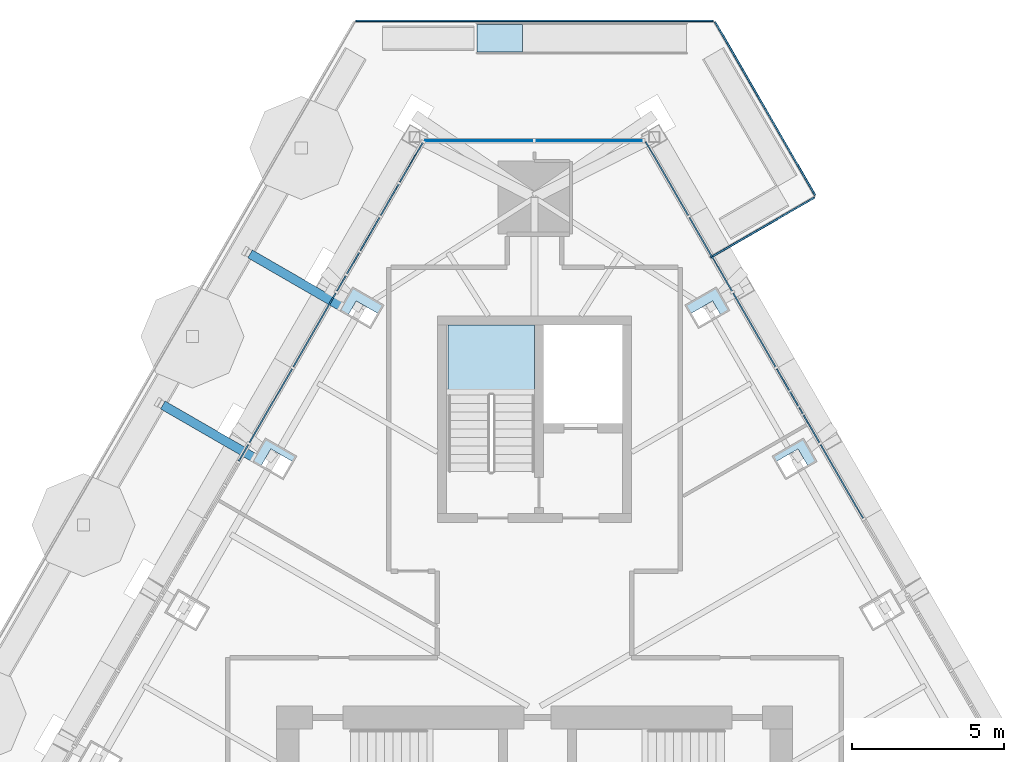
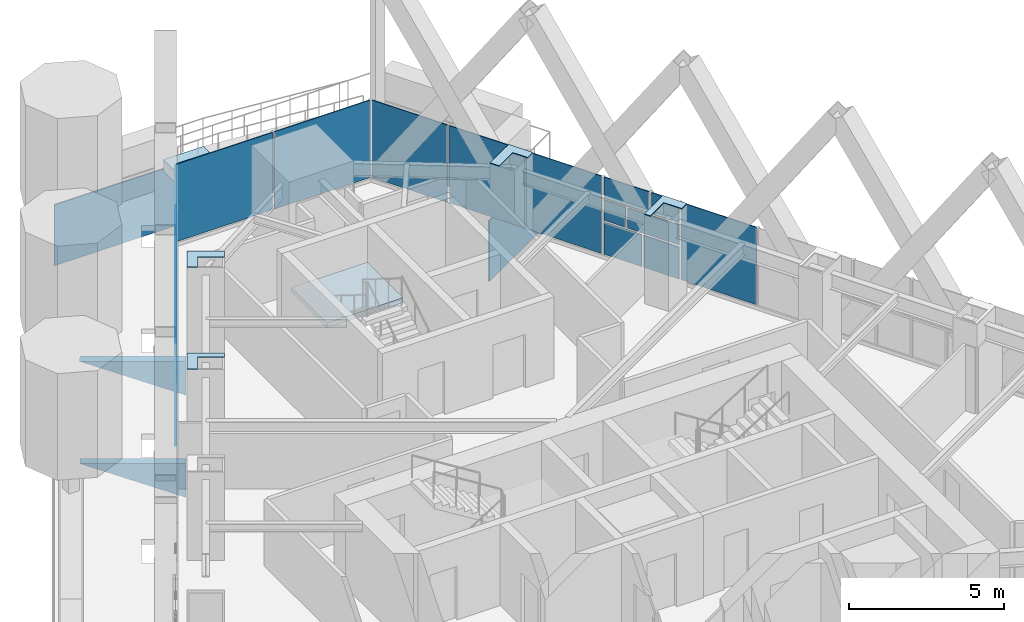
# One storey, part 15 of 24: 31 plates, 2 slabs, 4 elements without a shape of their own.
"""IFC4 building model written with IfcOpenShell, lengths in metres."""

from ifc_helpers import new_model, si_unit, direction, frame, origin, place, context, subcontext, project, spatial, polyline, outline, extrude, material, layer, layer_set, type_object, element, aggregate, save


model = new_model("IFC4")

# Units and contexts
model_context = context("Model", 3, precision=1e-05, world=origin(), true_north=direction((0.0, 1.0)))
body_context = subcontext(model_context, "Body", "Model", "MODEL_VIEW")
ifc_project = project(units=[si_unit("LENGTHUNIT", "METRE"), si_unit("AREAUNIT", "SQUARE_METRE"), si_unit("VOLUMEUNIT", "CUBIC_METRE"), si_unit("PLANEANGLEUNIT", "RADIAN"), si_unit("MASSUNIT", "GRAM", prefix="KILO")], contexts=[model_context])

# Site, building, storey
site_placement = place(None, origin())
site = spatial("IfcSite", under=ifc_project, at=site_placement, CompositionType="ELEMENT")
building_placement = place(site_placement, origin())
building = spatial("IfcBuilding", under=site, at=building_placement, Name="Firuza Gate Tower and Library", CompositionType="ELEMENT")
storey_placement = place(building_placement, frame((0.0, 0.0, 323.10009765625)))
storey = spatial("IfcBuildingStorey", under=building, at=storey_placement, Name="L79", CompositionType="ELEMENT", Elevation=323.10009765625)

# Plates
ifc_material_1 = material(Name="Steel S355", Category="steel")
ifc_layer_1 = layer(ifc_material_1, 0.030029296875)
ifc_layer_set_1 = layer_set([ifc_layer_1], Name="Column infill plate 30 Steel S355")
plate_type_1 = type_object("IfcPlateType", Name="Column infill plate 30 Steel S355", PredefinedType="SHEET", material=ifc_layer_set_1)
placement_1 = place(storey_placement, frame((0.0, 0.0, 3.5)))
element("IfcPlate", 1, at=placement_1, inside=storey, type_object=plate_type_1, Name="Infill plate L79:E5", PredefinedType="SHEET", context=body_context, shape_type="SweptSolid", body=[
    extrude(outline(polyline([(82.820068359375, 89.9833984375), (82.932861328125, 89.78759765625), (83.68017578125, 90.218994140625), (84.017333984375, 89.635498046875), (84.30908203125, 89.803955078125), (83.859130859375, 90.583251953125), (82.820068359375, 89.9833984375)])), origin(), (0.0, 0.0, 1.0), 0.02978515625),
])
element("IfcPlate", 2, at=placement_1, inside=storey, type_object=plate_type_1, Name="Infill plate L79:E6", PredefinedType="SHEET", context=body_context, shape_type="SweptSolid", body=[
    extrude(outline(polyline([(79.947998046875, 94.957763671875), (80.11962890625, 94.660400390625), (80.866943359375, 95.092041015625), (81.145263671875, 94.60986328125), (81.437255859375, 94.7783203125), (80.9873046875, 95.557861328125), (79.947998046875, 94.957763671875)])), origin(), (0.0, 0.0, 1.0), 0.02978515625),
])
element("IfcPlate", 3, at=placement_1, inside=storey, type_object=plate_type_1, Name="Infill plate L79:W1", PredefinedType="SHEET", context=body_context, shape_type="SweptSolid", body=[
    extrude(outline(polyline([(68.562744140625, 94.7783203125), (68.854736328125, 94.60986328125), (69.133056640625, 95.092041015625), (69.88037109375, 94.660400390625), (70.052001953125, 94.957763671875), (69.0126953125, 95.557861328125), (68.562744140625, 94.7783203125)])), origin(), (0.0, 0.0, 1.0), 0.02978515625),
])
element("IfcPlate", 4, at=placement_1, inside=storey, type_object=plate_type_1, Name="Infill plate L79:W2", PredefinedType="SHEET", context=body_context, shape_type="SweptSolid", body=[
    extrude(outline(polyline([(65.69091796875, 89.803955078125), (65.982666015625, 89.635498046875), (66.31982421875, 90.218994140625), (67.067138671875, 89.78759765625), (67.179931640625, 89.9833984375), (66.140869140625, 90.583251953125), (65.69091796875, 89.803955078125)])), origin(), (0.0, 0.0, 1.0), 0.02978515625),
])

# Curtain wall, plates
ifc_material_2 = material(Name="Aluminium 6063-T6", Category="aluminium")
ifc_layer_2 = layer(ifc_material_2, 0.14990234375)
ifc_layer_set_2 = layer_set([ifc_layer_2], Name="Corner curtain wall, chamfers")
curtain_wall_type_1 = type_object("IfcCurtainWallType", Name="Corner curtain wall, chamfers", PredefinedType="NOTDEFINED", material=ifc_layer_set_2)
placement_2 = place(storey_placement, origin())
curtain_wall_1 = element("IfcCurtainWall", 5, at=placement_2, inside=storey, type_object=curtain_wall_type_1, Name="CW4 L79 N corner", PredefinedType="NOTDEFINED")
ifc_material_3 = material(Name="Fritted glass", Category="glass")
ifc_layer_3 = layer(ifc_material_3, 0.030029296875)
ifc_layer_set_3 = layer_set([ifc_layer_3], Name="Fritted glass unit, corners")
plate_type_2 = type_object("IfcPlateType", Name="Fritted glass unit, corners", PredefinedType="CURTAIN_PANEL", material=ifc_layer_set_3)
plate_5_placement = place(storey_placement, frame((78.603271484375, 100.382568359375, 0.14990234375), z_axis=(0.0, 1.0, 0.0), x_axis=(-1.0, 0.0, 0.0)))
plate_5 = element("IfcPlate", 6, at=plate_5_placement, type_object=plate_type_2, Name="Glass unit", PredefinedType="CURTAIN_PANEL", context=body_context, shape_type="SweptSolid", body=[
    extrude(outline(polyline([(0.0, 0.0), (3.563232421875, 0.0), (3.563232421875, 3.050048828125), (0.0, 3.050048828125), (0.0, 0.0)])), origin(), (0.0, 0.0, -1.0), 0.030029296875),
])
plate_6_placement = place(storey_placement, frame((74.9599609375, 100.382568359375, 0.14990234375), z_axis=(0.0, 1.0, 0.0), x_axis=(-1.0, 0.0, 0.0)))
plate_6 = element("IfcPlate", 7, at=plate_6_placement, type_object=plate_type_2, Name="Glass unit", PredefinedType="CURTAIN_PANEL", context=body_context, shape_type="SweptSolid", body=[
    extrude(outline(polyline([(0.0, 0.0), (3.563232421875, 0.0), (3.563232421875, 3.050048828125), (0.0, 3.050048828125), (0.0, 0.0)])), origin(), (0.0, 0.0, -1.0), 0.030029296875),
])
aggregate(curtain_wall_1, [plate_5, plate_6])

ifc_material_4 = material(Name="Aluminium 6063-T6", Category="aluminium")
ifc_layer_4 = layer(ifc_material_4, 0.14990234375)
ifc_layer_set_4 = layer_set([ifc_layer_4], Name="Unitised curtain wall, residences")
curtain_wall_type_2 = type_object("IfcCurtainWallType", Name="Unitised curtain wall, residences", PredefinedType="NOTDEFINED", material=ifc_layer_set_4)
curtain_wall_2 = element("IfcCurtainWall", 8, at=placement_2, inside=storey, type_object=curtain_wall_type_2, Name="CW3 L79 E face", PredefinedType="NOTDEFINED")
ifc_material_5 = material(Name="Fritted glass", Category="glass")
ifc_layer_5 = layer(ifc_material_5, 0.030029296875)
ifc_layer_set_5 = layer_set([ifc_layer_5], Name="Fritted glass unit, residences")
plate_type_3 = type_object("IfcPlateType", Name="Fritted glass unit, residences", PredefinedType="CURTAIN_PANEL", material=ifc_layer_set_5)
plate_7_placement = place(storey_placement, frame((83.69189453125, 91.6533203125, 0.14990234375), z_axis=(0.866040030748, 0.499974664501, 0.0), x_axis=(-0.499974664501, 0.866040030748, 0.0)))
plate_7 = element("IfcPlate", 9, at=plate_7_placement, type_object=plate_type_3, Name="Glass unit", PredefinedType="CURTAIN_PANEL", context=body_context, shape_type="SweptSolid", body=[
    extrude(outline(polyline([(0.0, 0.0), (1.3965551398427547, 0.0), (1.3965551398427547, 1.260009765625), (0.0, 1.260009765625), (0.0, 0.0)])), origin(), (0.0, 0.0, -1.0), 0.030029296875),
])
plate_8_placement = place(storey_placement, frame((83.396240234375, 92.165283203125, 1.489990234375), z_axis=(0.86608968024, 0.499888653383, 0.0), x_axis=(-0.499888653383, 0.86608968024, 0.0)))
plate_8 = element("IfcPlate", 10, at=plate_8_placement, type_object=plate_type_3, Name="Glass unit", PredefinedType="CURTAIN_PANEL", context=body_context, shape_type="SweptSolid", body=[
    extrude(outline(polyline([(0.0, 0.0), (0.8053551283875515, 0.0), (0.8053551283875515, 0.7949218750000002), (0.0, 0.7949218750000002), (0.0, 0.0)])), origin(), (0.0, 0.0, -1.0), 0.030029296875),
])
plate_9_placement = place(storey_placement, frame((84.392578125, 90.439453125, 2.364990234375), z_axis=(0.865992557167, 0.500056887695, 0.0), x_axis=(-0.500056887695, 0.865992557167, 0.0)))
plate_9 = element("IfcPlate", 11, at=plate_9_placement, type_object=plate_type_3, Name="Glass unit", PredefinedType="CURTAIN_PANEL", context=body_context, shape_type="SweptSolid", body=[
    extrude(outline(polyline([(0.0, 0.0), (1.0321091338808435, 0.0), (1.0321091338808435, 0.8349609375), (0.0, 0.8349609375), (0.0, 0.0)])), origin(), (0.0, 0.0, -1.0), 0.030029296875),
])

curtain_wall_3 = element("IfcCurtainWall", 12, at=placement_2, inside=storey, type_object=curtain_wall_type_2, Name="CW3 L79 W face", PredefinedType="NOTDEFINED")
plate_10_placement = place(storey_placement, frame((70.515869140625, 98.941162109375, 0.14990234375), z_axis=(-0.865972382579, 0.500091824179, 0.0), x_axis=(-0.500091824179, -0.865972382579, 0.0)))
plate_10 = element("IfcPlate", 13, at=plate_10_placement, type_object=plate_type_3, Name="Glass unit", PredefinedType="CURTAIN_PANEL", context=body_context, shape_type="SweptSolid", body=[
    extrude(outline(polyline([(0.0, 0.0), (1.1824000416741476, 0.0), (1.1824000416741476, 1.485107421875), (0.0, 1.485107421875), (0.0, 0.0)])), origin(), (0.0, 0.0, -1.0), 0.030029296875),
])
plate_11_placement = place(storey_placement, frame((69.884521484375, 97.847900390625, 0.14990234375), z_axis=(-0.866010893236, 0.500025132165, 0.0), x_axis=(-0.500025132165, -0.866010893236, 0.0)))
plate_11 = element("IfcPlate", 14, at=plate_11_placement, type_object=plate_type_3, Name="Glass unit", PredefinedType="CURTAIN_PANEL", context=body_context, shape_type="SweptSolid", body=[
    extrude(outline(polyline([(0.0, 0.0), (1.2567727666598376, 0.0), (1.2567727666598376, 1.485107421875), (0.0, 1.485107421875), (0.0, 0.0)])), origin(), (0.0, 0.0, -1.0), 0.030029296875),
])
plate_12_placement = place(storey_placement, frame((68.77587890625, 95.92724609375, 1.71484375), z_axis=(-0.865982457891, 0.500074377092, 0.0), x_axis=(-0.500074377092, -0.865982457891, 0.0)))
plate_12 = element("IfcPlate", 15, at=plate_12_placement, type_object=plate_type_3, Name="Glass unit", PredefinedType="CURTAIN_PANEL", context=body_context, shape_type="SweptSolid", body=[
    extrude(outline(polyline([(0.0, 0.0), (0.5804800574124213, 0.0), (0.5804800574124213, 1.485107421875), (0.0, 1.485107421875), (0.0, 0.0)])), origin(), (0.0, 0.0, -1.0), 0.030029296875),
])
plate_13_placement = place(storey_placement, frame((65.5673828125, 90.3701171875, 1.71484375), z_axis=(-0.86592101019, 0.500180771434, 0.0), x_axis=(-0.500180771434, -0.86592101019, 0.0)))
plate_13 = element("IfcPlate", 16, at=plate_13_placement, type_object=plate_type_3, Name="Glass unit", PredefinedType="CURTAIN_PANEL", context=body_context, shape_type="SweptSolid", body=[
    extrude(outline(polyline([(0.0, 0.0), (0.6301432699450527, 0.0), (0.6301432699450527, 1.485107421875), (0.0, 1.485107421875), (0.0, 0.0)])), origin(), (0.0, 0.0, -1.0), 0.030029296875),
])

# Slab
ifc_material_6 = material(Name="Concrete C40/50", Category="concrete")
ifc_layer_6 = layer(ifc_material_6, 0.449951171875)
ifc_layer_set_6 = layer_set([ifc_layer_6], Name="Garden deck 450")
slab_type_1 = type_object("IfcSlabType", Name="Garden deck 450", PredefinedType="FLOOR", material=ifc_layer_set_6)
element("IfcSlab", 17, at=placement_2, inside=storey, type_object=slab_type_1, Name="Garden deck 9", PredefinedType="FLOOR", context=body_context, shape_type="SweptSolid", body=[
    extrude(outline(polyline([(74.61083984375, 104.192626953125), (73.109375, 104.192626953125), (73.109375, 103.29248046875), (74.61083984375, 103.29248046875), (74.61083984375, 104.192626953125)])), origin(), (0.0, 0.0, 1.0), 0.449951171875),
])

# Plate
ifc_material_7 = material(Name="Glazed ceramic tile")
ifc_layer_7 = layer(ifc_material_7, 0.030029296875)
ifc_layer_set_7 = layer_set([ifc_layer_7], Name="Opaque ceramic panel, residences")
plate_type_4 = type_object("IfcPlateType", Name="Opaque ceramic panel, residences", PredefinedType="CURTAIN_PANEL", material=ifc_layer_set_7)
plate_14_placement = place(storey_placement, frame((85.831787109375, 87.94677734375, 0.14990234375), z_axis=(0.866017045845, 0.500014476097, 0.0), x_axis=(-0.500014476097, 0.866017045845, 0.0)))
plate_14 = element("IfcPlate", 18, at=plate_14_placement, type_object=plate_type_4, Name="Opaque ceramic panel", PredefinedType="CURTAIN_PANEL", context=body_context, shape_type="SweptSolid", body=[
    extrude(outline(polyline([(0.0, 0.0), (2.7982588280189464, 0.0), (2.7982588280189464, 3.050048828125), (0.0, 3.050048828125), (0.0, 0.0)])), origin(), (0.0, 0.0, -1.0), 0.030029296875),
])

plate_15_placement = place(storey_placement, frame((84.392578125, 90.439453125, 0.14990234375), z_axis=(0.866074842056, 0.499914360624, 0.0), x_axis=(-0.499914360624, 0.866074842056, 0.0)))
plate_15 = element("IfcPlate", 19, at=plate_15_placement, type_object=plate_type_4, Name="Opaque ceramic panel", PredefinedType="CURTAIN_PANEL", context=body_context, shape_type="SweptSolid", body=[
    extrude(outline(polyline([(0.0, 0.0), (1.3215154100112096, 0.0), (1.3215154100112096, 1.2600097656250002), (0.0, 1.2600097656250002), (0.0, 0.0)])), origin(), (0.0, 0.0, -1.0), 0.030029296875),
])

plate_16_placement = place(storey_placement, frame((84.392578125, 90.439453125, 1.489990234375), z_axis=(0.866043176803, 0.499969214965, 0.0), x_axis=(-0.499969214965, 0.866043176803, 0.0)))
plate_16 = element("IfcPlate", 20, at=plate_16_placement, type_object=plate_type_4, Name="Opaque ceramic panel", PredefinedType="CURTAIN_PANEL", context=body_context, shape_type="SweptSolid", body=[
    extrude(outline(polyline([(0.0, 0.0), (1.9127154222722746, 0.0), (1.9127154222722746, 0.794921875), (0.0, 0.794921875), (0.0, 0.0)])), origin(), (0.0, 0.0, -1.0), 0.030029296875),
])

plate_17_placement = place(storey_placement, frame((83.836669921875, 91.402587890625, 2.364990234375), z_axis=(0.866033677446, 0.499985669323, 0.0), x_axis=(-0.499985669323, 0.866033677446, 0.0)))
plate_17 = element("IfcPlate", 21, at=plate_17_placement, type_object=plate_type_4, Name="Opaque ceramic panel", PredefinedType="CURTAIN_PANEL", context=body_context, shape_type="SweptSolid", body=[
    extrude(outline(polyline([(0.0, 0.0), (1.6860834816846342, 0.0), (1.6860834816846342, 0.8349609375), (0.0, 0.8349609375), (0.0, 0.0)])), origin(), (0.0, 0.0, -1.0), 0.030029296875),
])

plate_18_placement = place(storey_placement, frame((82.95361328125, 92.931884765625, 0.14990234375), z_axis=(0.866017045845, 0.500014476097, 0.0), x_axis=(-0.500014476097, 0.866017045845, 0.0)))
plate_18 = element("IfcPlate", 22, at=plate_18_placement, type_object=plate_type_4, Name="Opaque ceramic panel", PredefinedType="CURTAIN_PANEL", context=body_context, shape_type="SweptSolid", body=[
    extrude(outline(polyline([(0.0, 0.0), (2.7982588280189464, 0.0), (2.7982588280189464, 3.050048828125), (0.0, 3.050048828125), (0.0, 0.0)])), origin(), (0.0, 0.0, -1.0), 0.030029296875),
])

plate_19_placement = place(storey_placement, frame((81.514404296875, 95.424560546875, 0.14990234375), z_axis=(0.866054824954, 0.499949037577, 0.0), x_axis=(-0.499949037577, 0.866054824954, 0.0)))
plate_19 = element("IfcPlate", 23, at=plate_19_placement, type_object=plate_type_4, Name="Opaque ceramic panel", PredefinedType="CURTAIN_PANEL", context=body_context, shape_type="SweptSolid", body=[
    extrude(outline(polyline([(0.0, 0.0), (2.798136762160169, 0.0), (2.798136762160169, 3.0500488281249996), (0.0, 3.0500488281249996), (0.0, 0.0)])), origin(), (0.0, 0.0, -1.0), 0.030029296875),
])

plate_20_placement = place(storey_placement, frame((80.075439453125, 97.917236328125, 0.14990234375), z_axis=(0.865995230276, 0.500052258409, 0.0), x_axis=(-0.500052258409, 0.865995230276, 0.0)))
plate_20 = element("IfcPlate", 24, at=plate_20_placement, type_object=plate_type_4, Name="Opaque ceramic panel", PredefinedType="CURTAIN_PANEL", context=body_context, shape_type="SweptSolid", body=[
    extrude(outline(polyline([(0.0, 0.0), (2.798047400739046, 0.0), (2.798047400739046, 3.050048828125), (0.0, 3.050048828125), (0.0, 0.0)])), origin(), (0.0, 0.0, -1.0), 0.030029296875),
])

aggregate(curtain_wall_2, [plate_14, plate_15, plate_7, plate_16, plate_8, plate_9, plate_17, plate_18, plate_19, plate_20])

plate_21_placement = place(storey_placement, frame((71.32373046875, 100.34033203125, 0.14990234375), z_axis=(-0.866013487713, 0.500020638674, 0.0), x_axis=(-0.500020638674, -0.866013487713, 0.0)))
plate_21 = element("IfcPlate", 25, at=plate_21_placement, type_object=plate_type_4, Name="Opaque ceramic panel", PredefinedType="CURTAIN_PANEL", context=body_context, shape_type="SweptSolid", body=[
    extrude(outline(polyline([(0.0, 0.0), (1.5355811465331932, 0.0), (1.5355811465331932, 1.485107421875), (0.0, 1.485107421875), (0.0, 0.0)])), origin(), (0.0, 0.0, -1.0), 0.030029296875),
])

plate_22_placement = place(storey_placement, frame((71.32373046875, 100.34033203125, 1.71484375), z_axis=(-0.865995230276, 0.500052258409, 0.0), x_axis=(-0.500052258409, -0.865995230276, 0.0)))
plate_22 = element("IfcPlate", 26, at=plate_22_placement, type_object=plate_type_4, Name="Opaque ceramic panel", PredefinedType="CURTAIN_PANEL", context=body_context, shape_type="SweptSolid", body=[
    extrude(outline(polyline([(0.0, 0.0), (2.798047400739046, 0.0), (2.798047400739046, 1.485107421875), (0.0, 1.485107421875), (0.0, 0.0)])), origin(), (0.0, 0.0, -1.0), 0.030029296875),
])

plate_23_placement = place(storey_placement, frame((69.21630859375, 96.690185546875, 0.14990234375), z_axis=(-0.866024231582, 0.500002030309, 0.0), x_axis=(-0.500002030309, -0.866024231582, 0.0)))
plate_23 = element("IfcPlate", 27, at=plate_23_placement, type_object=plate_type_4, Name="Opaque ceramic panel", PredefinedType="CURTAIN_PANEL", context=body_context, shape_type="SweptSolid", body=[
    extrude(outline(polyline([(0.0, 0.0), (1.4614198469811963, 0.0), (1.4614198469811963, 1.485107421875), (0.0, 1.485107421875), (0.0, 0.0)])), origin(), (0.0, 0.0, -1.0), 0.030029296875),
])

plate_24_placement = place(storey_placement, frame((69.884521484375, 97.847900390625, 1.71484375), z_axis=(-0.86607718375, 0.499910303742, 0.0), x_axis=(-0.499910303742, -0.86607718375, 0.0)))
plate_24 = element("IfcPlate", 28, at=plate_24_placement, type_object=plate_type_4, Name="Opaque ceramic panel", PredefinedType="CURTAIN_PANEL", context=body_context, shape_type="SweptSolid", body=[
    extrude(outline(polyline([(0.0, 0.0), (2.137590498988301, 0.0), (2.137590498988301, 1.485107421875), (0.0, 1.485107421875), (0.0, 0.0)])), origin(), (0.0, 0.0, -1.0), 0.030029296875),
])

plate_25_placement = place(storey_placement, frame((68.445556640625, 95.355224609375, 0.14990234375), z_axis=(-0.866017045845, 0.500014476097, 0.0), x_axis=(-0.500014476097, -0.866017045845, 0.0)))
plate_25 = element("IfcPlate", 29, at=plate_25_placement, type_object=plate_type_4, Name="Opaque ceramic panel", PredefinedType="CURTAIN_PANEL", context=body_context, shape_type="SweptSolid", body=[
    extrude(outline(polyline([(0.0, 0.0), (2.7982588280189464, 0.0), (2.7982588280189464, 3.050048828125), (0.0, 3.050048828125), (0.0, 0.0)])), origin(), (0.0, 0.0, -1.0), 0.030029296875),
])

plate_26_placement = place(storey_placement, frame((67.00634765625, 92.86279296875, 0.14990234375), z_axis=(-0.866054824954, 0.499949037577, 0.0), x_axis=(-0.499949037577, -0.866054824954, 0.0)))
plate_26 = element("IfcPlate", 30, at=plate_26_placement, type_object=plate_type_4, Name="Opaque ceramic panel", PredefinedType="CURTAIN_PANEL", context=body_context, shape_type="SweptSolid", body=[
    extrude(outline(polyline([(0.0, 0.0), (2.798136762160169, 0.0), (2.798136762160169, 3.0500488281249996), (0.0, 3.0500488281249996), (0.0, 0.0)])), origin(), (0.0, 0.0, -1.0), 0.030029296875),
])

aggregate(curtain_wall_3, [plate_21, plate_10, plate_22, plate_11, plate_23, plate_24, plate_12, plate_25, plate_26, plate_13])

# Stair, slab
ifc_material_8 = material(Name="Concrete C35/45", Category="concrete")
stair_type = type_object("IfcStairType", Name="Exit stair ST17", PredefinedType="HALF_TURN_STAIR", material=ifc_material_8)
stair = element("IfcStair", 31, at=placement_2, inside=storey, type_object=stair_type, Name="L79 Stair ST3", PredefinedType="HALF_TURN_STAIR")
ifc_material_9 = material(Name="Concrete C35/45", Category="concrete")
ifc_layer_8 = layer(ifc_material_9, 0.199951171875)
ifc_layer_set_8 = layer_set([ifc_layer_8], Name="Stair landing 200")
slab_type_2 = type_object("IfcSlabType", Name="Stair landing 200", PredefinedType="LANDING", material=ifc_layer_set_8)
slab_2_placement = place(storey_placement, frame((0.0, 0.0, 1.5498046875)))
slab_2 = element("IfcSlab", 32, at=slab_2_placement, type_object=slab_type_2, Name="ST3 landing 1", PredefinedType="LANDING", context=body_context, shape_type="SweptSolid", body=[
    extrude(outline(polyline([(75.0, 91.989990234375), (75.0, 94.300048828125), (72.159912109375, 94.300048828125), (72.159912109375, 91.989990234375), (75.0, 91.989990234375)])), origin(), (0.0, 0.0, 1.0), 0.2001953125),
])
aggregate(stair, [slab_2])

# Plates
ifc_material_10 = material(Name="Steel S355", Category="steel")
ifc_layer_9 = layer(ifc_material_10, 0.300048828125)
ifc_layer_set_9 = layer_set([ifc_layer_9], Name="Tray bracket web 300 Steel S355")
plate_type_5 = type_object("IfcPlateType", Name="Tray bracket web 300 Steel S355", PredefinedType="SHEET", material=ifc_layer_set_9)
plate_27_placement = place(storey_placement, frame((68.531982421875, 94.7958984375, -0.2001953125), z_axis=(-0.500081895979, -0.865978115955, 0.0), x_axis=(-0.865978115955, 0.500081895979, 0.0)))
element("IfcPlate", 33, at=plate_27_placement, inside=storey, type_object=plate_type_5, Name="Tray bracket web L79 col:L78:W1", PredefinedType="SHEET", context=body_context, shape_type="SweptSolid", body=[
    extrude(outline(polyline([(0.0, 0.0), (3.429614038049955, 0.0), (0.0, 1.333984375), (0.0, 0.0)])), origin(), (0.0, 0.0, -1.0), 0.300048828125),
])
plate_28_placement = place(storey_placement, frame((65.659912109375, 89.821044921875, -0.2001953125), z_axis=(-0.500028509433, -0.86600894323, 0.0), x_axis=(-0.86600894323, 0.500028509433, 0.0)))
element("IfcPlate", 34, at=plate_28_placement, inside=storey, type_object=plate_type_5, Name="Tray bracket web L79 col:L78:W2", PredefinedType="SHEET", context=body_context, shape_type="SweptSolid", body=[
    extrude(outline(polyline([(0.0, 0.0), (3.4294919542601163, 0.0), (0.0, 1.333984375), (0.0, 0.0)])), origin(), (0.0, 0.0, -1.0), 0.300048828125),
])
ifc_material_11 = material(Name="Aluminium 6063-T6", Category="aluminium")
ifc_layer_10 = layer(ifc_material_11, 0.050048828125)
ifc_layer_set_10 = layer_set([ifc_layer_10], Name="Tray fascia panel 50")
plate_type_6 = type_object("IfcPlateType", Name="Tray fascia panel 50", PredefinedType="SHEET", material=ifc_layer_set_10)
plate_29_placement = place(storey_placement, frame((84.261962890625, 98.5849609375, -2.400146484375), z_axis=(0.866091813784, 0.499884956861, 0.0), x_axis=(-0.499884956861, 0.866091813784, 0.0)))
element("IfcPlate", 35, at=plate_29_placement, inside=storey, type_object=plate_type_6, Name="Tray fascia L79 1", PredefinedType="SHEET", context=body_context, shape_type="SweptSolid", body=[
    extrude(outline(polyline([(0.0, 0.0), (6.589406757077399, 0.0), (6.589406757077399, 2.400146484375), (0.0, 2.400146484375), (0.0, 0.0)])), origin(), (0.0, 0.0, -1.0), 0.050048828125),
])
plate_30_placement = place(storey_placement, frame((80.87890625, 104.343017578125, -2.400146484375), z_axis=(0.0, 1.0, 0.0), x_axis=(-1.0, 0.0, 0.0)))
element("IfcPlate", 36, at=plate_30_placement, inside=storey, type_object=plate_type_6, Name="Tray fascia L79 2", PredefinedType="SHEET", context=body_context, shape_type="SweptSolid", body=[
    extrude(outline(polyline([(0.0, 0.0), (11.7578125, 0.0), (11.7578125, 2.400146484375), (0.0, 2.400146484375), (0.0, 0.0)])), origin(), (0.0, 0.0, -1.0), 0.050048828125),
])
plate_31_placement = place(storey_placement, frame((80.821044921875, 96.506103515625, -2.400146484375), z_axis=(0.500024631762, -0.866011182163, 0.0), x_axis=(0.866011182163, 0.500024631762, 0.0)))
element("IfcPlate", 37, at=plate_31_placement, inside=storey, type_object=plate_type_6, Name="Tray fascia L79 12", PredefinedType="SHEET", context=body_context, shape_type="SweptSolid", body=[
    extrude(outline(polyline([(0.0, 0.0), (3.939747320413783, 0.0), (3.939747320413783, 2.400146484375), (0.0, 2.400146484375), (0.0, 0.0)])), origin(), (0.0, 0.0, -1.0), 0.050048828125),
])

save(model, "model.ifc")
